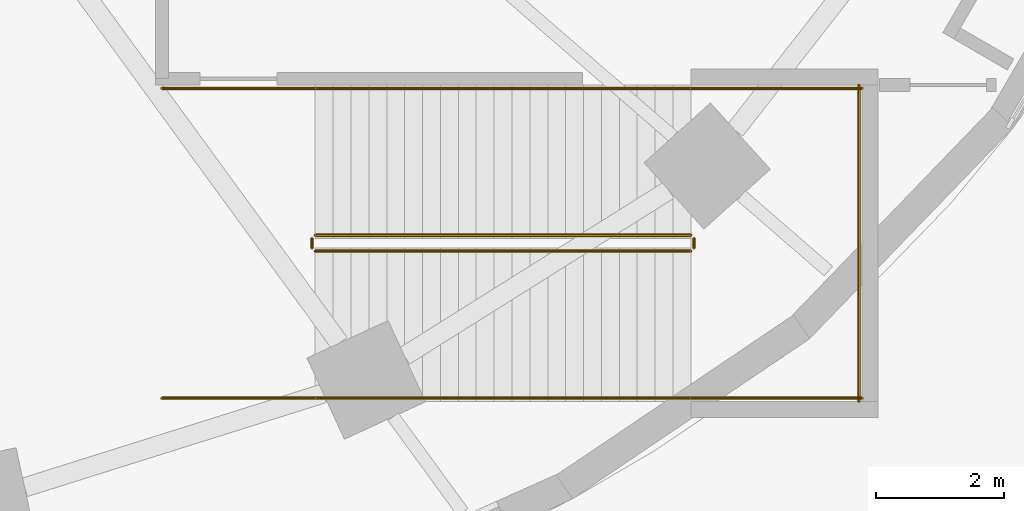
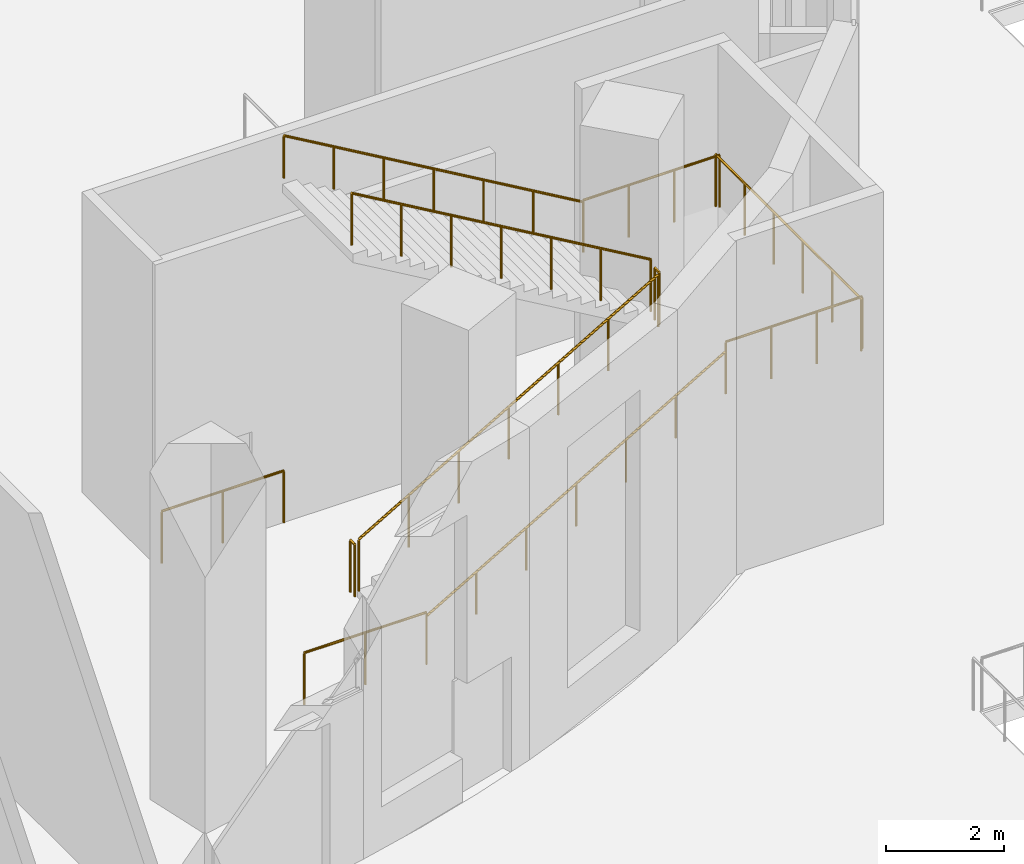
# One storey, part 21 of 27: 11 railings.
"""IFC4 building model written with IfcOpenShell, lengths in metres."""

from ifc_helpers import new_model, si_unit, direction, frame, origin, origin_2d, place, context, subcontext, project, spatial, circle, extrude, material, type_object, element, save


model = new_model("IFC4")

# Units and contexts
model_context = context("Model", 3, precision=1e-05, world=origin(), true_north=direction((0.0, 1.0)))
body_context = subcontext(model_context, "Body", "Model", "MODEL_VIEW")
ifc_project = project(units=[si_unit("LENGTHUNIT", "METRE"), si_unit("AREAUNIT", "SQUARE_METRE"), si_unit("VOLUMEUNIT", "CUBIC_METRE"), si_unit("PLANEANGLEUNIT", "RADIAN"), si_unit("MASSUNIT", "GRAM", prefix="KILO")], contexts=[model_context])

# Site, building, storey
site_placement = place(None, origin())
site = spatial("IfcSite", under=ifc_project, at=site_placement, CompositionType="ELEMENT")
building_placement = place(site_placement, origin())
building = spatial("IfcBuilding", under=site, at=building_placement, Name="Rubra Terraces Tower", CompositionType="ELEMENT")
storey_placement = place(building_placement, origin())
storey = spatial("IfcBuildingStorey", under=building, at=storey_placement, Name="L00", CompositionType="ELEMENT", Elevation=0.0)

# Railings
ifc_material = material(Name="Stainless steel", Category="steel")
railing_type_1 = type_object("IfcRailingType", Name="Public stair guard 1100", PredefinedType="GUARDRAIL", material=ifc_material)
railing_1_placement = place(storey_placement, frame((15.0, -15.14990234375, 0.16357421875)))
element("IfcRailing", 1, at=railing_1_placement, inside=storey, type_object=railing_type_1, Name="L00 PS4 stair guard 1", PredefinedType="GUARDRAIL", context=body_context, shape_type="SweptSolid", body=[
    extrude(circle(Radius=0.02392578125, at=origin_2d()), frame((0.0, 0.0, 1.076171875), z_axis=(0.863357341461, 0.0, 0.504593005248), x_axis=(0.0, 1.0, 0.0)), (0.0, 0.0, 1.0), 6.810546875),
    extrude(circle(Radius=0.02099609375, at=origin_2d()), origin(), (0.0, 0.0, 1.0), 1.052001953125),
    extrude(circle(Radius=0.02099609375, at=origin_2d()), frame((0.97998046875, 0.0, 0.57275390625)), (0.0, 0.0, 1.0), 1.052001953125),
    extrude(circle(Radius=0.02099609375, at=origin_2d()), frame((1.9599609375, 0.0, 1.1455078125)), (0.0, 0.0, 1.0), 1.052001953125),
    extrude(circle(Radius=0.02099609375, at=origin_2d()), frame((2.93994140625, 0.0, 1.71826171875)), (0.0, 0.0, 1.0), 1.052001953125),
    extrude(circle(Radius=0.02099609375, at=origin_2d()), frame((3.919921875, 0.0, 2.291015625)), (0.0, 0.0, 1.0), 1.052001953125),
    extrude(circle(Radius=0.02099609375, at=origin_2d()), frame((4.89990234375, 0.0, 2.86376953125)), (0.0, 0.0, 1.0), 1.052001953125),
    extrude(circle(Radius=0.02099609375, at=origin_2d()), frame((5.8798828125, 0.0, 3.4365234375)), (0.0, 0.0, 1.0), 1.052001953125),
])
railing_2_placement = place(storey_placement, frame((20.929931640625, -15.10009765625, 3.60009765625)))
element("IfcRailing", 2, at=railing_2_placement, inside=storey, type_object=railing_type_1, Name="L00 PS4 stair guard 2", PredefinedType="GUARDRAIL", context=body_context, shape_type="SweptSolid", body=[
    extrude(circle(Radius=0.02392578125, at=origin_2d()), frame((0.0, 0.0, 1.076171875), z_axis=(0.0, 1.0, 0.0), x_axis=(-1.0, 0.0, 0.0)), (0.0, 0.0, 1.0), 0.150146484375),
    extrude(circle(Radius=0.02099609375, at=origin_2d()), origin(), (0.0, 0.0, 1.0), 1.052001953125),
    extrude(circle(Radius=0.02099609375, at=origin_2d()), frame((0.0, 0.150146484375, 0.0)), (0.0, 0.0, 1.0), 1.052001953125),
])
for number, where, name in (
    (3, (20.8798828125, -17.449951171875, 3.60009765625), "L00 PS4 stair guard 3"),
    (4, (20.8798828125, -12.60009765625, 3.60009765625), "L00 PS4 stair guard 4"),
):
    element("IfcRailing", number, at=place(storey_placement, frame(where)), inside=storey, type_object=railing_type_1, Name=name, PredefinedType="GUARDRAIL", context=body_context, shape_type="SweptSolid", body=[
        extrude(circle(Radius=0.02392578125, at=origin_2d()), frame((0.0, 0.0, 1.076171875), z_axis=(1.0, 0.0, 0.0), x_axis=(0.0, 1.0, 0.0)), (0.0, 0.0, 1.0), 2.68017578125),
        extrude(circle(Radius=0.02099609375, at=origin_2d()), origin(), (0.0, 0.0, 1.0), 1.052001953125),
        extrude(circle(Radius=0.02099609375, at=origin_2d()), frame((0.893310546875, 0.0, 0.0)), (0.0, 0.0, 1.0), 1.052001953125),
        extrude(circle(Radius=0.02099609375, at=origin_2d()), frame((1.786865234375, 0.0, 0.0)), (0.0, 0.0, 1.0), 1.052001953125),
        extrude(circle(Radius=0.02099609375, at=origin_2d()), frame((2.68017578125, 0.0, 0.0)), (0.0, 0.0, 1.0), 1.052001953125),
    ])
railing_3_placement = place(storey_placement, frame((23.510009765625, -17.5, 3.60009765625)))
element("IfcRailing", 5, at=railing_3_placement, inside=storey, type_object=railing_type_1, Name="L00 PS4 stair guard 5", PredefinedType="GUARDRAIL", context=body_context, shape_type="SweptSolid", body=[
    extrude(circle(Radius=0.02392578125, at=origin_2d()), frame((0.0, 0.0, 1.076171875), z_axis=(0.0, 1.0, 0.0), x_axis=(-1.0, 0.0, 0.0)), (0.0, 0.0, 1.0), 4.949951171875),
    extrude(circle(Radius=0.02099609375, at=origin_2d()), origin(), (0.0, 0.0, 1.0), 1.052001953125),
    extrude(circle(Radius=0.02099609375, at=origin_2d()), frame((0.0, 0.989990234375, 0.0)), (0.0, 0.0, 1.0), 1.052001953125),
    extrude(circle(Radius=0.02099609375, at=origin_2d()), frame((0.0, 1.97998046875, 0.0)), (0.0, 0.0, 1.0), 1.052001953125),
    extrude(circle(Radius=0.02099609375, at=origin_2d()), frame((0.0, 2.969970703125, 0.0)), (0.0, 0.0, 1.0), 1.052001953125),
    extrude(circle(Radius=0.02099609375, at=origin_2d()), frame((0.0, 3.9599609375, 0.0)), (0.0, 0.0, 1.0), 1.052001953125),
    extrude(circle(Radius=0.02099609375, at=origin_2d()), frame((0.0, 4.949951171875, 0.0)), (0.0, 0.0, 1.0), 1.052001953125),
])
railing_4_placement = place(storey_placement, frame((20.8798828125, -14.89990234375, 3.763671875)))
element("IfcRailing", 6, at=railing_4_placement, inside=storey, type_object=railing_type_1, Name="L00 PS4 stair guard 6", PredefinedType="GUARDRAIL", context=body_context, shape_type="SweptSolid", body=[
    extrude(circle(Radius=0.02392578125, at=origin_2d()), frame((0.0, 0.0, 1.076171875), z_axis=(-0.863372958192, 0.0, 0.504566284112), x_axis=(0.0, -1.0, 0.0)), (0.0, 0.0, 1.0), 6.810302734375),
    extrude(circle(Radius=0.02099609375, at=origin_2d()), origin(), (0.0, 0.0, 1.0), 1.052001953125),
    extrude(circle(Radius=0.02099609375, at=origin_2d()), frame((-0.97998046875, 0.0, 0.57275390625)), (0.0, 0.0, 1.0), 1.052001953125),
    extrude(circle(Radius=0.02099609375, at=origin_2d()), frame((-1.9599609375, 0.0, 1.1455078125)), (0.0, 0.0, 1.0), 1.052001953125),
    extrude(circle(Radius=0.02099609375, at=origin_2d()), frame((-2.93994140625, 0.0, 1.71826171875)), (0.0, 0.0, 1.0), 1.052001953125),
    extrude(circle(Radius=0.02099609375, at=origin_2d()), frame((-3.919921875, 0.0, 2.290771484375)), (0.0, 0.0, 1.0), 1.052001953125),
    extrude(circle(Radius=0.02099609375, at=origin_2d()), frame((-4.89990234375, 0.0, 2.863525390625)), (0.0, 0.0, 1.0), 1.052001953125),
    extrude(circle(Radius=0.02099609375, at=origin_2d()), frame((-5.8798828125, 0.0, 3.436279296875)), (0.0, 0.0, 1.0), 1.052001953125),
])
railing_5_placement = place(storey_placement, frame((14.949951171875, -15.10009765625, 0.0400390625)))
element("IfcRailing", 7, at=railing_5_placement, inside=storey, type_object=railing_type_1, Name="L00 PS4 stair guard 7", PredefinedType="GUARDRAIL", context=body_context, shape_type="SweptSolid", body=[
    extrude(circle(Radius=0.02392578125, at=origin_2d()), frame((0.0, 0.0, 1.076171875), z_axis=(0.0, 1.0, 0.0), x_axis=(-1.0, 0.0, 0.0)), (0.0, 0.0, 1.0), 0.150146484375),
    extrude(circle(Radius=0.02099609375, at=origin_2d()), origin(), (0.0, 0.0, 1.0), 1.052001953125),
    extrude(circle(Radius=0.02099609375, at=origin_2d()), frame((0.0, 0.150146484375, 0.0)), (0.0, 0.0, 1.0), 1.052001953125),
])
for number, where, name in (
    (8, (12.60009765625, -17.449951171875, 0.0400390625), "L00 PS4 stair guard 8"),
    (9, (12.60009765625, -12.60009765625, 0.0400390625), "L00 PS4 stair guard 9"),
):
    element("IfcRailing", number, at=place(storey_placement, frame(where)), inside=storey, type_object=railing_type_1, Name=name, PredefinedType="GUARDRAIL", context=body_context, shape_type="SweptSolid", body=[
        extrude(circle(Radius=0.02392578125, at=origin_2d()), frame((0.0, 0.0, 1.076171875), z_axis=(1.0, 0.0, 0.0), x_axis=(0.0, 1.0, 0.0)), (0.0, 0.0, 1.0), 2.39990234375),
        extrude(circle(Radius=0.02099609375, at=origin_2d()), origin(), (0.0, 0.0, 1.0), 1.052001953125),
        extrude(circle(Radius=0.02099609375, at=origin_2d()), frame((1.199951171875, 0.0, 0.0)), (0.0, 0.0, 1.0), 1.052001953125),
        extrude(circle(Radius=0.02099609375, at=origin_2d()), frame((2.39990234375, 0.0, 0.0)), (0.0, 0.0, 1.0), 1.052001953125),
    ])
railing_type_2 = type_object("IfcRailingType", Name="Public stair handrail 900", PredefinedType="HANDRAIL", material=ifc_material)
railing_6_placement = place(storey_placement, frame((15.0, -17.449951171875, 0.16357421875)))
element("IfcRailing", 10, at=railing_6_placement, inside=storey, type_object=railing_type_2, Name="L00 PS4 stair handrail 1", PredefinedType="HANDRAIL", context=body_context, shape_type="SweptSolid", body=[
    extrude(circle(Radius=0.02392578125, at=origin_2d()), frame((0.0, 0.0, 0.8759765625), z_axis=(0.863357341461, 0.0, 0.504593005248), x_axis=(0.0, 1.0, 0.0)), (0.0, 0.0, 1.0), 6.810546875),
    extrude(circle(Radius=0.02099609375, at=origin_2d()), origin(), (0.0, 0.0, 1.0), 0.851806640625),
    extrude(circle(Radius=0.02099609375, at=origin_2d()), frame((0.97998046875, 0.0, 0.57275390625)), (0.0, 0.0, 1.0), 0.851806640625),
    extrude(circle(Radius=0.02099609375, at=origin_2d()), frame((1.9599609375, 0.0, 1.1455078125)), (0.0, 0.0, 1.0), 0.851806640625),
    extrude(circle(Radius=0.02099609375, at=origin_2d()), frame((2.93994140625, 0.0, 1.71826171875)), (0.0, 0.0, 1.0), 0.851806640625),
    extrude(circle(Radius=0.02099609375, at=origin_2d()), frame((3.919921875, 0.0, 2.291015625)), (0.0, 0.0, 1.0), 0.851806640625),
    extrude(circle(Radius=0.02099609375, at=origin_2d()), frame((4.89990234375, 0.0, 2.86376953125)), (0.0, 0.0, 1.0), 0.851806640625),
    extrude(circle(Radius=0.02099609375, at=origin_2d()), frame((5.8798828125, 0.0, 3.4365234375)), (0.0, 0.0, 1.0), 0.851806640625),
])
railing_7_placement = place(storey_placement, frame((20.8798828125, -12.60009765625, 3.763671875)))
element("IfcRailing", 11, at=railing_7_placement, inside=storey, type_object=railing_type_2, Name="L00 PS4 stair handrail 2", PredefinedType="HANDRAIL", context=body_context, shape_type="SweptSolid", body=[
    extrude(circle(Radius=0.02392578125, at=origin_2d()), frame((0.0, 0.0, 0.8759765625), z_axis=(-0.863372958192, 0.0, 0.504566284112), x_axis=(0.0, -1.0, 0.0)), (0.0, 0.0, 1.0), 6.810302734375),
    extrude(circle(Radius=0.02099609375, at=origin_2d()), origin(), (0.0, 0.0, 1.0), 0.851806640625),
    extrude(circle(Radius=0.02099609375, at=origin_2d()), frame((-0.97998046875, 0.0, 0.57275390625)), (0.0, 0.0, 1.0), 0.851806640625),
    extrude(circle(Radius=0.02099609375, at=origin_2d()), frame((-1.9599609375, 0.0, 1.1455078125)), (0.0, 0.0, 1.0), 0.851806640625),
    extrude(circle(Radius=0.02099609375, at=origin_2d()), frame((-2.93994140625, 0.0, 1.71826171875)), (0.0, 0.0, 1.0), 0.851806640625),
    extrude(circle(Radius=0.02099609375, at=origin_2d()), frame((-3.919921875, 0.0, 2.290771484375)), (0.0, 0.0, 1.0), 0.851806640625),
    extrude(circle(Radius=0.02099609375, at=origin_2d()), frame((-4.89990234375, 0.0, 2.863525390625)), (0.0, 0.0, 1.0), 0.851806640625),
    extrude(circle(Radius=0.02099609375, at=origin_2d()), frame((-5.8798828125, 0.0, 3.436279296875)), (0.0, 0.0, 1.0), 0.851806640625),
])

save(model, "model.ifc")
